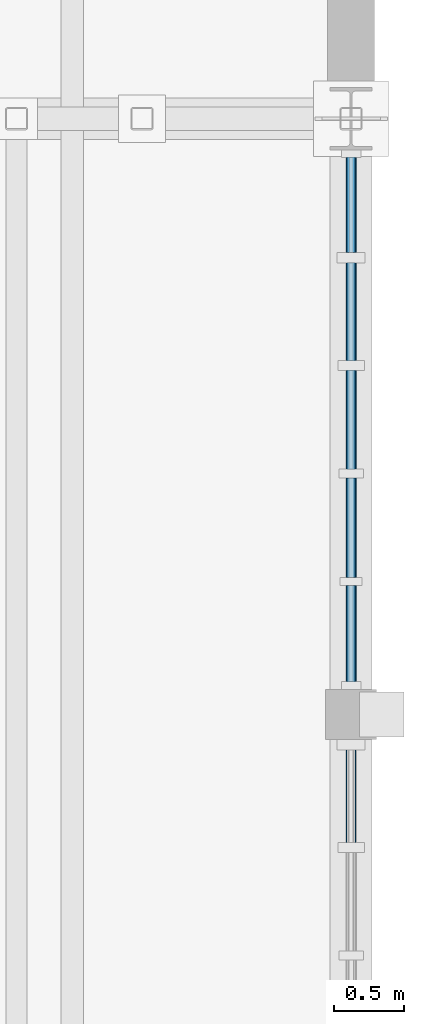
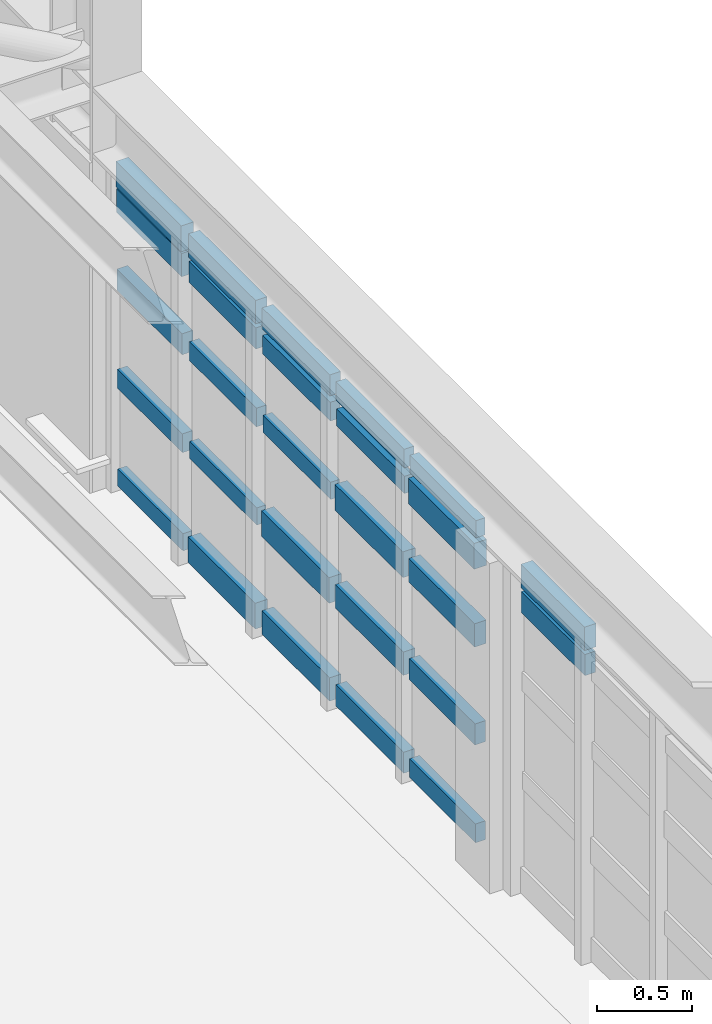
# One storey, part 83 of 128: 27 members, 2 elements without a shape of their own.
"""IFC4 building model written with IfcOpenShell, lengths in metres."""

from ifc_helpers import new_model, si_unit, direction, frame, origin, origin_2d, place, context, subcontext, project, spatial, rectangle, extrude, material, material_profile, profile_set, type_object, element, aggregate, save


model = new_model("IFC4")

# Units and contexts
model_context = context("Model", 3, precision=1e-05, world=origin(), true_north=direction((0.0, 1.0)))
body_context = subcontext(model_context, "Body", "Model", "MODEL_VIEW")
ifc_project = project(units=[si_unit("LENGTHUNIT", "METRE"), si_unit("AREAUNIT", "SQUARE_METRE"), si_unit("VOLUMEUNIT", "CUBIC_METRE"), si_unit("PLANEANGLEUNIT", "RADIAN"), si_unit("MASSUNIT", "GRAM", prefix="KILO")], contexts=[model_context])

# Site, building, storey
site_placement = place(None, origin())
site = spatial("IfcSite", under=ifc_project, at=site_placement, CompositionType="ELEMENT")
building_placement = place(site_placement, origin())
building = spatial("IfcBuilding", under=site, at=building_placement, Name="Serraforn Aerial Cableway Station", CompositionType="ELEMENT")
storey_placement = place(building_placement, frame((0.0, 0.0, 9.0)))
storey = spatial("IfcBuildingStorey", under=building, at=storey_placement, Name="L02", CompositionType="ELEMENT", Elevation=9.0)

# Curtain wall, members
ifc_material_1 = material(Name="Anodised bronze unitised curtain wall")
curtain_wall_type_1 = type_object("IfcCurtainWallType", Name="CW-SYS-14", PredefinedType="USERDEFINED", material=ifc_material_1)
curtain_wall_1_placement = place(storey_placement, origin())
curtain_wall_1 = element("IfcCurtainWall", 1, at=curtain_wall_1_placement, inside=storey, type_object=curtain_wall_type_1, Name="Unitised Curtain Wall CW-EG-L02-E7B", ObjectType="UNITISED CURTAIN WALL", PredefinedType="USERDEFINED")
ifc_material_2 = material(Name="Anodised bronze extruded aluminium", Category="aluminium")
ifc_material_profile_1 = material_profile(ifc_material_2, rectangle(XDim=0.054931640625, YDim=0.110107421875, at=origin_2d()), Name="CW TRANSOM 55x110")
ifc_profile_set_1 = profile_set([ifc_material_profile_1], Name="Anodised bronze extruded aluminium")
member_type_1 = type_object("IfcMemberType", Name="CW-TRN-1", PredefinedType="USERDEFINED", material=ifc_profile_set_1)
member_1_placement = place(storey_placement, frame((168.0, 101.407958984375, 2.03515625), z_axis=(0.0, 1.0, 0.0), x_axis=(-1.0, 0.0, 0.0)))
member_1 = element("IfcMember", 2, at=member_1_placement, type_object=member_type_1, Name="Curtain Wall Transom CW-EG-L02-E7B-T1-5", ObjectType="TRANSOM", PredefinedType="USERDEFINED", context=body_context, shape_type="SweptSolid", body=[
    extrude(rectangle(XDim=0.054931640625, YDim=0.110107421875, at=origin_2d()), origin(), (0.0, 0.0, 1.0), 0.693359375),
])
member_2_placement = place(storey_placement, frame((168.0, 102.157470703125, 1.865478515625), z_axis=(0.0, 1.0, 0.0), x_axis=(-1.0, 0.0, 0.0)))
member_2 = element("IfcMember", 3, at=member_2_placement, type_object=member_type_1, Name="Curtain Wall Transom CW-EG-L02-E7B-T2-4", ObjectType="TRANSOM", PredefinedType="USERDEFINED", context=body_context, shape_type="SweptSolid", body=[
    extrude(rectangle(XDim=0.054931640625, YDim=0.110107421875, at=origin_2d()), origin(), (0.0, 0.0, 1.0), 0.7158203125),
])
member_3_placement = place(storey_placement, frame((168.0, 102.934326171875, 1.356689453125), z_axis=(0.0, 1.0, 0.0), x_axis=(-1.0, 0.0, 0.0)))
member_3 = element("IfcMember", 4, at=member_3_placement, type_object=member_type_1, Name="Curtain Wall Transom CW-EG-L02-E7B-T3-3", ObjectType="TRANSOM", PredefinedType="USERDEFINED", context=body_context, shape_type="SweptSolid", body=[
    extrude(rectangle(XDim=0.054931640625, YDim=0.110107421875, at=origin_2d()), origin(), (0.0, 0.0, 1.0), 0.7109375),
])
member_4_placement = place(storey_placement, frame((168.0, 103.711181640625, 0.720703125), z_axis=(0.0, 1.0, 0.0), x_axis=(-1.0, 0.0, 0.0)))
member_4 = element("IfcMember", 5, at=member_4_placement, type_object=member_type_1, Name="Curtain Wall Transom CW-EG-L02-E7B-T4-2", ObjectType="TRANSOM", PredefinedType="USERDEFINED", context=body_context, shape_type="SweptSolid", body=[
    extrude(rectangle(XDim=0.054931640625, YDim=0.110107421875, at=origin_2d()), origin(), (0.0, 0.0, 1.0), 0.705810546875),
])
member_5_placement = place(storey_placement, frame((168.0, 104.488037109375, 0.084716796875), z_axis=(0.0, 1.0, 0.0), x_axis=(-1.0, 0.0, 0.0)))
member_5 = element("IfcMember", 6, at=member_5_placement, type_object=member_type_1, Name="Curtain Wall Transom CW-EG-L02-E7B-T5-1", ObjectType="TRANSOM", PredefinedType="USERDEFINED", context=body_context, shape_type="SweptSolid", body=[
    extrude(rectangle(XDim=0.054931640625, YDim=0.110107421875, at=origin_2d()), origin(), (0.0, 0.0, 1.0), 0.68603515625),
])
ifc_material_profile_2 = material_profile(ifc_material_2, rectangle(XDim=0.06005859375, YDim=0.1201171875, at=origin_2d()), Name="CW TRANSOM 60x120")
ifc_profile_set_2 = profile_set([ifc_material_profile_2], Name="Anodised bronze extruded aluminium")
member_type_2 = type_object("IfcMemberType", Name="CW-TRN-2", PredefinedType="USERDEFINED", material=ifc_profile_set_2)
member_6_placement = place(storey_placement, frame((168.0, 101.407958984375, 0.084716796875), z_axis=(0.0, 1.0, 0.0), x_axis=(-1.0, 0.0, 0.0)))
member_6 = element("IfcMember", 7, at=member_6_placement, type_object=member_type_2, Name="Curtain Wall Transom CW-EG-L02-E7B-T1-1", ObjectType="TRANSOM", PredefinedType="USERDEFINED", context=body_context, shape_type="SweptSolid", body=[
    extrude(rectangle(XDim=0.06005859375, YDim=0.1201171875, at=origin_2d()), origin(), (0.0, 0.0, 1.0), 0.693359375),
])
member_7_placement = place(storey_placement, frame((168.0, 102.157470703125, 2.03515625), z_axis=(0.0, 1.0, 0.0), x_axis=(-1.0, 0.0, 0.0)))
member_7 = element("IfcMember", 8, at=member_7_placement, type_object=member_type_2, Name="Curtain Wall Transom CW-EG-L02-E7B-T2-5", ObjectType="TRANSOM", PredefinedType="USERDEFINED", context=body_context, shape_type="SweptSolid", body=[
    extrude(rectangle(XDim=0.06005859375, YDim=0.1201171875, at=origin_2d()), origin(), (0.0, 0.0, 1.0), 0.7158203125),
])
member_8_placement = place(storey_placement, frame((168.0, 102.934326171875, 1.865478515625), z_axis=(0.0, 1.0, 0.0), x_axis=(-1.0, 0.0, 0.0)))
member_8 = element("IfcMember", 9, at=member_8_placement, type_object=member_type_2, Name="Curtain Wall Transom CW-EG-L02-E7B-T3-4", ObjectType="TRANSOM", PredefinedType="USERDEFINED", context=body_context, shape_type="SweptSolid", body=[
    extrude(rectangle(XDim=0.06005859375, YDim=0.1201171875, at=origin_2d()), origin(), (0.0, 0.0, 1.0), 0.7109375),
])
member_9_placement = place(storey_placement, frame((168.0, 103.711181640625, 1.356689453125), z_axis=(0.0, 1.0, 0.0), x_axis=(-1.0, 0.0, 0.0)))
member_9 = element("IfcMember", 10, at=member_9_placement, type_object=member_type_2, Name="Curtain Wall Transom CW-EG-L02-E7B-T4-3", ObjectType="TRANSOM", PredefinedType="USERDEFINED", context=body_context, shape_type="SweptSolid", body=[
    extrude(rectangle(XDim=0.06005859375, YDim=0.1201171875, at=origin_2d()), origin(), (0.0, 0.0, 1.0), 0.705810546875),
])
member_10_placement = place(storey_placement, frame((168.0, 104.488037109375, 0.720703125), z_axis=(0.0, 1.0, 0.0), x_axis=(-1.0, 0.0, 0.0)))
member_10 = element("IfcMember", 11, at=member_10_placement, type_object=member_type_2, Name="Curtain Wall Transom CW-EG-L02-E7B-T5-2", ObjectType="TRANSOM", PredefinedType="USERDEFINED", context=body_context, shape_type="SweptSolid", body=[
    extrude(rectangle(XDim=0.06005859375, YDim=0.1201171875, at=origin_2d()), origin(), (0.0, 0.0, 1.0), 0.68603515625),
])

# Curtain wall, member
curtain_wall_type_2 = type_object("IfcCurtainWallType", Name="CW-SYS-13", PredefinedType="USERDEFINED", material=ifc_material_1)
curtain_wall_2_placement = place(storey_placement, origin())
curtain_wall_2 = element("IfcCurtainWall", 12, at=curtain_wall_2_placement, inside=storey, type_object=curtain_wall_type_2, Name="Unitised Curtain Wall CW-EG-L02-E7A", ObjectType="UNITISED CURTAIN WALL", PredefinedType="USERDEFINED")
ifc_material_profile_3 = material_profile(ifc_material_2, rectangle(XDim=0.06494140625, YDim=0.135009765625, at=origin_2d()), Name="CW TRANSOM 65x135")
ifc_profile_set_3 = profile_set([ifc_material_profile_3], Name="Anodised bronze extruded aluminium")
member_type_3 = type_object("IfcMemberType", Name="CW-TRN-3", PredefinedType="USERDEFINED", material=ifc_profile_set_3)
member_11_placement = place(storey_placement, frame((168.0, 100.253662109375, 1.865478515625), z_axis=(0.0, 1.0, 0.0), x_axis=(-1.0, 0.0, 0.0)))
member_11 = element("IfcMember", 13, at=member_11_placement, type_object=member_type_3, Name="Curtain Wall Transom CW-EG-L02-E7A-T5-4", ObjectType="TRANSOM", PredefinedType="USERDEFINED", context=body_context, shape_type="SweptSolid", body=[
    extrude(rectangle(XDim=0.06494140625, YDim=0.135009765625, at=origin_2d()), origin(), (0.0, 0.0, 1.0), 0.66845703125),
])

# Member
member_12_placement = place(storey_placement, frame((168.0, 101.407958984375, 0.720703125), z_axis=(0.0, 1.0, 0.0), x_axis=(-1.0, 0.0, 0.0)))
member_12 = element("IfcMember", 14, at=member_12_placement, type_object=member_type_3, Name="Curtain Wall Transom CW-EG-L02-E7B-T1-2", ObjectType="TRANSOM", PredefinedType="USERDEFINED", context=body_context, shape_type="SweptSolid", body=[
    extrude(rectangle(XDim=0.06494140625, YDim=0.135009765625, at=origin_2d()), origin(), (0.0, 0.0, 1.0), 0.693359375),
])

member_13_placement = place(storey_placement, frame((168.0, 102.157470703125, 0.084716796875), z_axis=(0.0, 1.0, 0.0), x_axis=(-1.0, 0.0, 0.0)))
member_13 = element("IfcMember", 15, at=member_13_placement, type_object=member_type_3, Name="Curtain Wall Transom CW-EG-L02-E7B-T2-1", ObjectType="TRANSOM", PredefinedType="USERDEFINED", context=body_context, shape_type="SweptSolid", body=[
    extrude(rectangle(XDim=0.06494140625, YDim=0.135009765625, at=origin_2d()), origin(), (0.0, 0.0, 1.0), 0.7158203125),
])

member_14_placement = place(storey_placement, frame((168.0, 102.934326171875, 2.03515625), z_axis=(0.0, 1.0, 0.0), x_axis=(-1.0, 0.0, 0.0)))
member_14 = element("IfcMember", 16, at=member_14_placement, type_object=member_type_3, Name="Curtain Wall Transom CW-EG-L02-E7B-T3-5", ObjectType="TRANSOM", PredefinedType="USERDEFINED", context=body_context, shape_type="SweptSolid", body=[
    extrude(rectangle(XDim=0.06494140625, YDim=0.135009765625, at=origin_2d()), origin(), (0.0, 0.0, 1.0), 0.7109375),
])

member_15_placement = place(storey_placement, frame((168.0, 103.711181640625, 1.865478515625), z_axis=(0.0, 1.0, 0.0), x_axis=(-1.0, 0.0, 0.0)))
member_15 = element("IfcMember", 17, at=member_15_placement, type_object=member_type_3, Name="Curtain Wall Transom CW-EG-L02-E7B-T4-4", ObjectType="TRANSOM", PredefinedType="USERDEFINED", context=body_context, shape_type="SweptSolid", body=[
    extrude(rectangle(XDim=0.06494140625, YDim=0.135009765625, at=origin_2d()), origin(), (0.0, 0.0, 1.0), 0.705810546875),
])

member_16_placement = place(storey_placement, frame((168.0, 104.488037109375, 1.356689453125), z_axis=(0.0, 1.0, 0.0), x_axis=(-1.0, 0.0, 0.0)))
member_16 = element("IfcMember", 18, at=member_16_placement, type_object=member_type_3, Name="Curtain Wall Transom CW-EG-L02-E7B-T5-3", ObjectType="TRANSOM", PredefinedType="USERDEFINED", context=body_context, shape_type="SweptSolid", body=[
    extrude(rectangle(XDim=0.06494140625, YDim=0.135009765625, at=origin_2d()), origin(), (0.0, 0.0, 1.0), 0.68603515625),
])

ifc_material_profile_4 = material_profile(ifc_material_2, rectangle(XDim=0.070068359375, YDim=0.14990234375, at=origin_2d()), Name="CW TRANSOM 70x150")
ifc_profile_set_4 = profile_set([ifc_material_profile_4], Name="Anodised bronze extruded aluminium")
member_type_4 = type_object("IfcMemberType", Name="CW-TRN-4", PredefinedType="USERDEFINED", material=ifc_profile_set_4)
member_17_placement = place(storey_placement, frame((168.0, 100.253662109375, 2.03515625), z_axis=(0.0, 1.0, 0.0), x_axis=(-1.0, 0.0, 0.0)))
member_17 = element("IfcMember", 19, at=member_17_placement, type_object=member_type_4, Name="Curtain Wall Transom CW-EG-L02-E7A-T5-5", ObjectType="TRANSOM", PredefinedType="USERDEFINED", context=body_context, shape_type="SweptSolid", body=[
    extrude(rectangle(XDim=0.070068359375, YDim=0.14990234375, at=origin_2d()), origin(), (0.0, 0.0, 1.0), 0.66845703125),
])

aggregate(curtain_wall_2, [member_11, member_17])

member_18_placement = place(storey_placement, frame((168.0, 101.407958984375, 1.356689453125), z_axis=(0.0, 1.0, 0.0), x_axis=(-1.0, 0.0, 0.0)))
member_18 = element("IfcMember", 20, at=member_18_placement, type_object=member_type_4, Name="Curtain Wall Transom CW-EG-L02-E7B-T1-3", ObjectType="TRANSOM", PredefinedType="USERDEFINED", context=body_context, shape_type="SweptSolid", body=[
    extrude(rectangle(XDim=0.070068359375, YDim=0.14990234375, at=origin_2d()), origin(), (0.0, 0.0, 1.0), 0.693359375),
])

member_19_placement = place(storey_placement, frame((168.0, 102.157470703125, 0.720703125), z_axis=(0.0, 1.0, 0.0), x_axis=(-1.0, 0.0, 0.0)))
member_19 = element("IfcMember", 21, at=member_19_placement, type_object=member_type_4, Name="Curtain Wall Transom CW-EG-L02-E7B-T2-2", ObjectType="TRANSOM", PredefinedType="USERDEFINED", context=body_context, shape_type="SweptSolid", body=[
    extrude(rectangle(XDim=0.070068359375, YDim=0.14990234375, at=origin_2d()), origin(), (0.0, 0.0, 1.0), 0.7158203125),
])

member_20_placement = place(storey_placement, frame((168.0, 102.934326171875, 0.084716796875), z_axis=(0.0, 1.0, 0.0), x_axis=(-1.0, 0.0, 0.0)))
member_20 = element("IfcMember", 22, at=member_20_placement, type_object=member_type_4, Name="Curtain Wall Transom CW-EG-L02-E7B-T3-1", ObjectType="TRANSOM", PredefinedType="USERDEFINED", context=body_context, shape_type="SweptSolid", body=[
    extrude(rectangle(XDim=0.070068359375, YDim=0.14990234375, at=origin_2d()), origin(), (0.0, 0.0, 1.0), 0.7109375),
])

member_21_placement = place(storey_placement, frame((168.0, 103.711181640625, 2.03515625), z_axis=(0.0, 1.0, 0.0), x_axis=(-1.0, 0.0, 0.0)))
member_21 = element("IfcMember", 23, at=member_21_placement, type_object=member_type_4, Name="Curtain Wall Transom CW-EG-L02-E7B-T4-5", ObjectType="TRANSOM", PredefinedType="USERDEFINED", context=body_context, shape_type="SweptSolid", body=[
    extrude(rectangle(XDim=0.070068359375, YDim=0.14990234375, at=origin_2d()), origin(), (0.0, 0.0, 1.0), 0.705810546875),
])

member_22_placement = place(storey_placement, frame((168.0, 104.488037109375, 1.865478515625), z_axis=(0.0, 1.0, 0.0), x_axis=(-1.0, 0.0, 0.0)))
member_22 = element("IfcMember", 24, at=member_22_placement, type_object=member_type_4, Name="Curtain Wall Transom CW-EG-L02-E7B-T5-4", ObjectType="TRANSOM", PredefinedType="USERDEFINED", context=body_context, shape_type="SweptSolid", body=[
    extrude(rectangle(XDim=0.070068359375, YDim=0.14990234375, at=origin_2d()), origin(), (0.0, 0.0, 1.0), 0.68603515625),
])

ifc_material_profile_5 = material_profile(ifc_material_2, rectangle(XDim=0.074951171875, YDim=0.1650390625, at=origin_2d()), Name="CW TRANSOM 75x165")
ifc_profile_set_5 = profile_set([ifc_material_profile_5], Name="Anodised bronze extruded aluminium")
member_type_5 = type_object("IfcMemberType", Name="CW-TRN-5", PredefinedType="USERDEFINED", material=ifc_profile_set_5)
member_23_placement = place(storey_placement, frame((168.0, 101.407958984375, 1.865478515625), z_axis=(0.0, 1.0, 0.0), x_axis=(-1.0, 0.0, 0.0)))
member_23 = element("IfcMember", 25, at=member_23_placement, type_object=member_type_5, Name="Curtain Wall Transom CW-EG-L02-E7B-T1-4", ObjectType="TRANSOM", PredefinedType="USERDEFINED", context=body_context, shape_type="SweptSolid", body=[
    extrude(rectangle(XDim=0.074951171875, YDim=0.1650390625, at=origin_2d()), origin(), (0.0, 0.0, 1.0), 0.693359375),
])

member_24_placement = place(storey_placement, frame((168.0, 102.157470703125, 1.356689453125), z_axis=(0.0, 1.0, 0.0), x_axis=(-1.0, 0.0, 0.0)))
member_24 = element("IfcMember", 26, at=member_24_placement, type_object=member_type_5, Name="Curtain Wall Transom CW-EG-L02-E7B-T2-3", ObjectType="TRANSOM", PredefinedType="USERDEFINED", context=body_context, shape_type="SweptSolid", body=[
    extrude(rectangle(XDim=0.074951171875, YDim=0.1650390625, at=origin_2d()), origin(), (0.0, 0.0, 1.0), 0.7158203125),
])

member_25_placement = place(storey_placement, frame((168.0, 102.934326171875, 0.720703125), z_axis=(0.0, 1.0, 0.0), x_axis=(-1.0, 0.0, 0.0)))
member_25 = element("IfcMember", 27, at=member_25_placement, type_object=member_type_5, Name="Curtain Wall Transom CW-EG-L02-E7B-T3-2", ObjectType="TRANSOM", PredefinedType="USERDEFINED", context=body_context, shape_type="SweptSolid", body=[
    extrude(rectangle(XDim=0.074951171875, YDim=0.1650390625, at=origin_2d()), origin(), (0.0, 0.0, 1.0), 0.7109375),
])

member_26_placement = place(storey_placement, frame((168.0, 103.711181640625, 0.084716796875), z_axis=(0.0, 1.0, 0.0), x_axis=(-1.0, 0.0, 0.0)))
member_26 = element("IfcMember", 28, at=member_26_placement, type_object=member_type_5, Name="Curtain Wall Transom CW-EG-L02-E7B-T4-1", ObjectType="TRANSOM", PredefinedType="USERDEFINED", context=body_context, shape_type="SweptSolid", body=[
    extrude(rectangle(XDim=0.074951171875, YDim=0.1650390625, at=origin_2d()), origin(), (0.0, 0.0, 1.0), 0.705810546875),
])

member_27_placement = place(storey_placement, frame((168.0, 104.488037109375, 2.03515625), z_axis=(0.0, 1.0, 0.0), x_axis=(-1.0, 0.0, 0.0)))
member_27 = element("IfcMember", 29, at=member_27_placement, type_object=member_type_5, Name="Curtain Wall Transom CW-EG-L02-E7B-T5-5", ObjectType="TRANSOM", PredefinedType="USERDEFINED", context=body_context, shape_type="SweptSolid", body=[
    extrude(rectangle(XDim=0.074951171875, YDim=0.1650390625, at=origin_2d()), origin(), (0.0, 0.0, 1.0), 0.68603515625),
])

aggregate(curtain_wall_1, [member_6, member_12, member_18, member_23, member_1, member_13, member_19, member_24, member_2, member_7, member_20, member_25, member_3, member_8, member_14, member_26, member_4, member_9, member_15, member_21, member_5, member_10, member_16, member_22, member_27])

save(model, "model.ifc")
